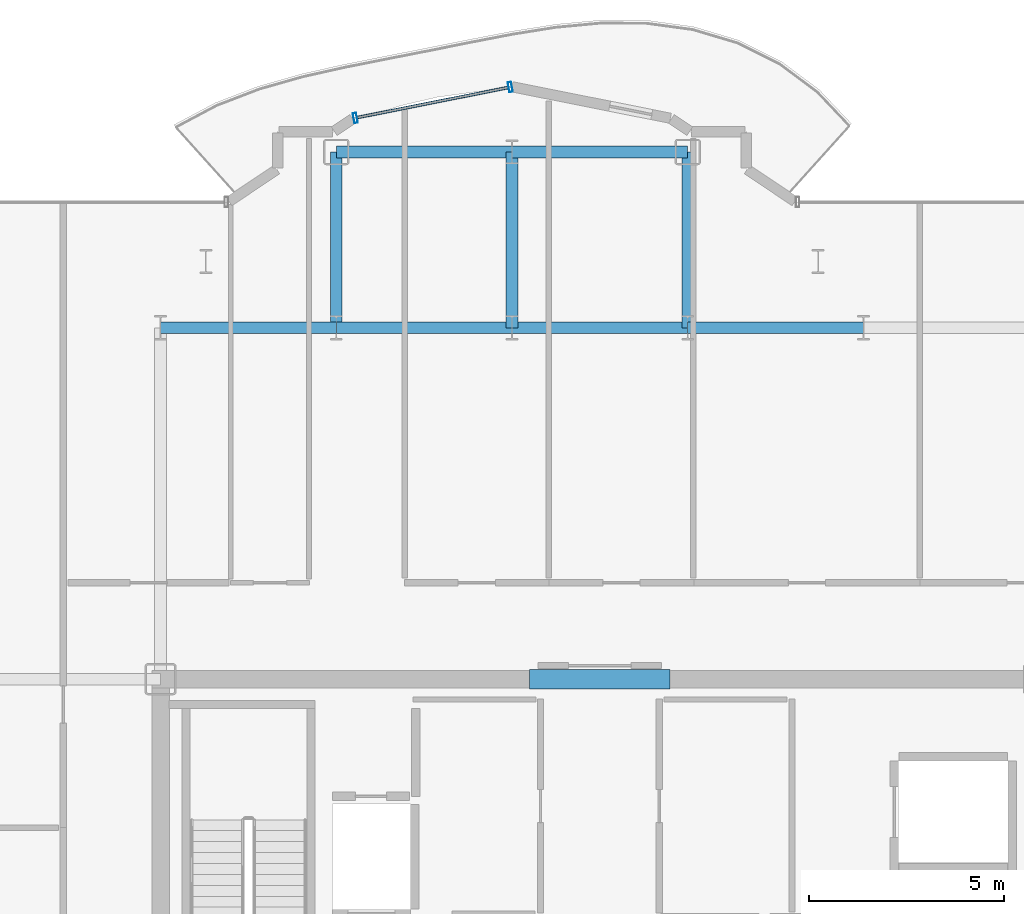
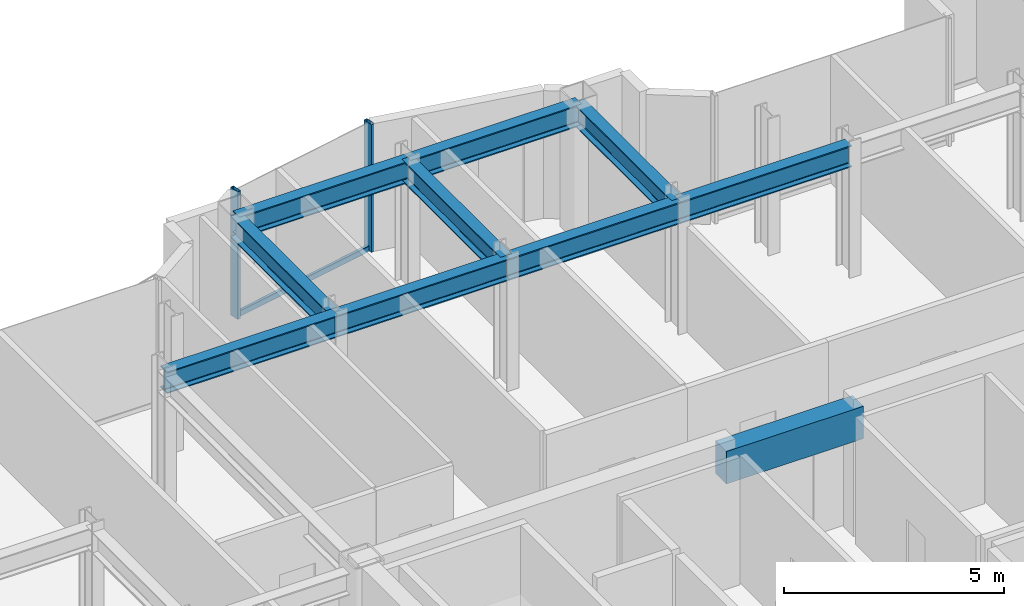
# One storey, part 10 of 18: 10 beams, 3 members, 1 element without a shape of its own.
"""IFC4 building model written with IfcOpenShell, lengths in metres."""

from ifc_helpers import new_model, si_unit, direction, frame, origin, origin_2d, place, context, subcontext, project, spatial, rectangle, hollow_rectangle, i_section, extrude, source, transform, mapped, material, layer, layer_set, material_profile, profile_set, type_object, element, aggregate, save


model = new_model("IFC4")

# Units and contexts
model_context = context("Model", 3, precision=1e-05, world=origin(), true_north=direction((0.0, 1.0)))
body_context = subcontext(model_context, "Body", "Model", "MODEL_VIEW")
ifc_project = project(units=[si_unit("LENGTHUNIT", "METRE"), si_unit("AREAUNIT", "SQUARE_METRE"), si_unit("VOLUMEUNIT", "CUBIC_METRE"), si_unit("PLANEANGLEUNIT", "RADIAN"), si_unit("MASSUNIT", "GRAM", prefix="KILO")], contexts=[model_context])

# Site, building, storey
site_placement = place(None, origin())
site = spatial("IfcSite", under=ifc_project, at=site_placement, CompositionType="ELEMENT")
building_placement = place(site_placement, origin())
building = spatial("IfcBuilding", under=site, at=building_placement, Name="Nefas-Gora Pilgrimage Tower", CompositionType="ELEMENT")
storey_placement = place(building_placement, frame((0.0, 0.0, 272.199951171875)))
storey = spatial("IfcBuildingStorey", under=building, at=storey_placement, Name="L68", CompositionType="ELEMENT", Elevation=272.199951171875)

# Beams
ifc_material_1 = material(Name="Concrete C50/60", Category="concrete")
ifc_material_profile_1 = material_profile(ifc_material_1, rectangle(XDim=0.5, YDim=0.89990234375, at=origin_2d()), Name="RC 500x900")
ifc_profile_set_1 = profile_set([ifc_material_profile_1], Name="Concrete C50/60")
beam_type_1 = type_object("IfcBeamType", Name="BM-LIN-RC900", PredefinedType="LINTEL", material=ifc_profile_set_1)
shared_shape_1 = source(origin(), body_context, "Body", "SweptSolid", [
    extrude(rectangle(XDim=0.5, YDim=0.89990234375, at=origin_2d()), origin(), (0.0, 0.0, 1.0), 3.60009765625),
])
beam_placement = place(storey_placement, frame((-1.800048828125, 9.0, 3.10009765625), z_axis=(1.0, 0.0, 0.0), x_axis=(0.0, 1.0, 0.0)))
element("IfcBeam", 1, at=beam_placement, inside=storey, type_object=beam_type_1, Name="L68 Core Coupling Lintel Beam N", PredefinedType="LINTEL", context=body_context, shape_type="MappedRepresentation", body=[
    mapped(shared_shape_1, transform((0.0, 0.0, 0.0), x_axis=(1.0, 0.0, 0.0), y_axis=(0.0, 1.0, 0.0), z_axis=(0.0, 0.0, 1.0), scale=1.0)),
])
ifc_material_2 = material(Name="Steel S355", Category="steel")
ifc_material_profile_2 = material_profile(ifc_material_2, i_section(OverallWidth=0.300048828125, OverallDepth=0.60009765625, WebThickness=0.015380859375, FlangeThickness=0.030029296875, FilletRadius=0.027099609375, at=origin_2d()), Name="HEB 600")
ifc_profile_set_2 = profile_set([ifc_material_profile_2], Name="Steel S355")
beam_type_2 = type_object("IfcBeamType", Name="BM-GIR-HEB600", PredefinedType="BEAM", material=ifc_profile_set_2)
shared_shape_2 = source(origin(), body_context, "Body", "SweptSolid", [
    extrude(i_section(OverallWidth=0.300048828125, OverallDepth=0.60009765625, WebThickness=0.015380859375, FlangeThickness=0.030029296875, FilletRadius=0.027099609375, at=origin_2d()), origin(), (0.0, 0.0, 1.0), 4.5),
])
for number, where, z_axis, x_axis, name in (
    (2, (-11.25, 18.0, 3.25), (1.0, 0.0, 0.0), (0.0, 1.0, 0.0), "L68 G-04 beam"),
    (3, (-6.75, 18.0, 3.25), (0.0, 1.0, 0.0), (-1.0, 0.0, 0.0), "L68 G-04 beam"),
    (4, (-6.75, 18.0, 3.25), (1.0, 0.0, 0.0), (0.0, 1.0, 0.0), "L68 G-04 beam"),
    (5, (-6.75, 22.5, 3.25), (1.0, 0.0, 0.0), (0.0, 1.0, 0.0), "L68 G-04 beam"),
    (6, (-2.25, 18.0, 3.25), (0.0, 1.0, 0.0), (-1.0, 0.0, 0.0), "L68 G-04 beam"),
    (7, (-2.25, 18.0, 3.25), (1.0, 0.0, 0.0), (0.0, 1.0, 0.0), "L68 G-04 beam"),
    (8, (-2.25, 22.5, 3.25), (1.0, 0.0, 0.0), (0.0, 1.0, 0.0), "L68 G-04 beam"),
    (9, (2.25, 18.0, 3.25), (0.0, 1.0, 0.0), (-1.0, 0.0, 0.0), "L68 G-04 beam"),
    (10, (2.25, 18.0, 3.25), (1.0, 0.0, 0.0), (0.0, 1.0, 0.0), "L68 G-04 beam"),
):
    element("IfcBeam", number, at=place(storey_placement, frame(where, z_axis=z_axis, x_axis=x_axis)), inside=storey, type_object=beam_type_2, Name=name, PredefinedType="BEAM", context=body_context, shape_type="MappedRepresentation", body=[
        mapped(shared_shape_2, transform((0.0, 0.0, 0.0), x_axis=(1.0, 0.0, 0.0), y_axis=(0.0, 1.0, 0.0), z_axis=(0.0, 0.0, 1.0), scale=1.0)),
    ])

# Curtain wall, members
ifc_material_3 = material(Name="Dark ceramic-fritted solar-control aluminium-glass curtain wall", Category="aluminium")
ifc_layer = layer(ifc_material_3, 0.219970703125)
ifc_layer_set = layer_set([ifc_layer], Name="Dark ceramic-fritted solar-control aluminium-glass curtain wall")
curtain_wall_type = type_object("IfcCurtainWallType", Name="CW-SYS-5", PredefinedType="NOTDEFINED", material=ifc_layer_set)
curtain_wall_placement = place(storey_placement, origin())
curtain_wall = element("IfcCurtainWall", 11, at=curtain_wall_placement, inside=storey, type_object=curtain_wall_type, Name="L68 Unitised Curtain Wall CW5", PredefinedType="NOTDEFINED")
ifc_material_4 = material(Name="Anodised architectural aluminium", Category="aluminium")
ifc_material_profile_3 = material_profile(ifc_material_4, hollow_rectangle(XDim=0.090087890625, YDim=0.260009765625, WallThickness=0.006103515625, InnerFilletRadius=0.006103515625, OuterFilletRadius=0.011962890625, at=origin_2d()), Name="ALU MULLION 90x260")
ifc_profile_set_3 = profile_set([ifc_material_profile_3], Name="Anodised architectural aluminium")
member_type_1 = type_object("IfcMemberType", Name="CWM-MUL-5", PredefinedType="MULLION", material=ifc_profile_set_3)
shared_shape_3 = source(origin(), body_context, "Body", "SweptSolid", [
    extrude(hollow_rectangle(XDim=0.090087890625, YDim=0.260009765625, WallThickness=0.006103515625, InnerFilletRadius=0.006103515625, OuterFilletRadius=0.011962890625, at=origin_2d()), origin(), (0.0, 0.0, 1.0), 3.550048828125),
])
member_1_placement = place(storey_placement, frame((-2.294189453125, 24.16357421875, 0.0), z_axis=(0.0, 0.0, 1.0), x_axis=(-0.980782896852, -0.195102304554, 0.0)))
member_1 = element("IfcMember", 12, at=member_1_placement, type_object=member_type_1, Name="CW5 Mullion 1", PredefinedType="MULLION", context=body_context, shape_type="MappedRepresentation", body=[
    mapped(shared_shape_3, transform((0.0, 0.0, 0.0), x_axis=(1.0, 0.0, 0.0), y_axis=(0.0, 1.0, 0.0), z_axis=(0.0, 0.0, 1.0), scale=1.0)),
])
member_2_placement = place(storey_placement, frame((-6.26318359375, 23.3740234375, 0.0), z_axis=(0.0, 0.0, 1.0), x_axis=(-0.980782896852, -0.195102304554, 0.0)))
member_2 = element("IfcMember", 13, at=member_2_placement, type_object=member_type_1, Name="CW5 Mullion 2", PredefinedType="MULLION", context=body_context, shape_type="MappedRepresentation", body=[
    mapped(shared_shape_3, transform((0.0, 0.0, 0.0), x_axis=(1.0, 0.0, 0.0), y_axis=(0.0, 1.0, 0.0), z_axis=(0.0, 0.0, 1.0), scale=1.0)),
])
ifc_material_profile_4 = material_profile(ifc_material_4, hollow_rectangle(XDim=0.080078125, YDim=0.159912109375, WallThickness=0.00439453125, InnerFilletRadius=0.00439453125, OuterFilletRadius=0.009033203125, at=origin_2d()), Name="ALU TRANSOM 80x160")
ifc_profile_set_4 = profile_set([ifc_material_profile_4], Name="Anodised architectural aluminium")
member_type_2 = type_object("IfcMemberType", Name="CWM-TRN-5", PredefinedType="USERDEFINED", material=ifc_profile_set_4)
shared_shape_4 = source(origin(), body_context, "Body", "SweptSolid", [
    extrude(hollow_rectangle(XDim=0.080078125, YDim=0.159912109375, WallThickness=0.00439453125, InnerFilletRadius=0.00439453125, OuterFilletRadius=0.009033203125, at=origin_2d()), origin(), (0.0, 0.0, 1.0), 3.95654296875),
])
member_3_placement = place(storey_placement, frame((-2.33837890625, 24.15478515625, 0.050048828125), z_axis=(-0.980781880918, -0.195107411605, 0.0), x_axis=(0.195107411605, -0.980781880918, 0.0)))
member_3 = element("IfcMember", 14, at=member_3_placement, type_object=member_type_2, Name="CW5 Spandrel Transom", ObjectType="TRANSOM", PredefinedType="USERDEFINED", context=body_context, shape_type="MappedRepresentation", body=[
    mapped(shared_shape_4, transform((0.0, 0.0, 0.0), x_axis=(1.0, 0.0, 0.0), y_axis=(0.0, 1.0, 0.0), z_axis=(0.0, 0.0, 1.0), scale=1.0)),
])
aggregate(curtain_wall, [member_1, member_2, member_3])

save(model, "model.ifc")
